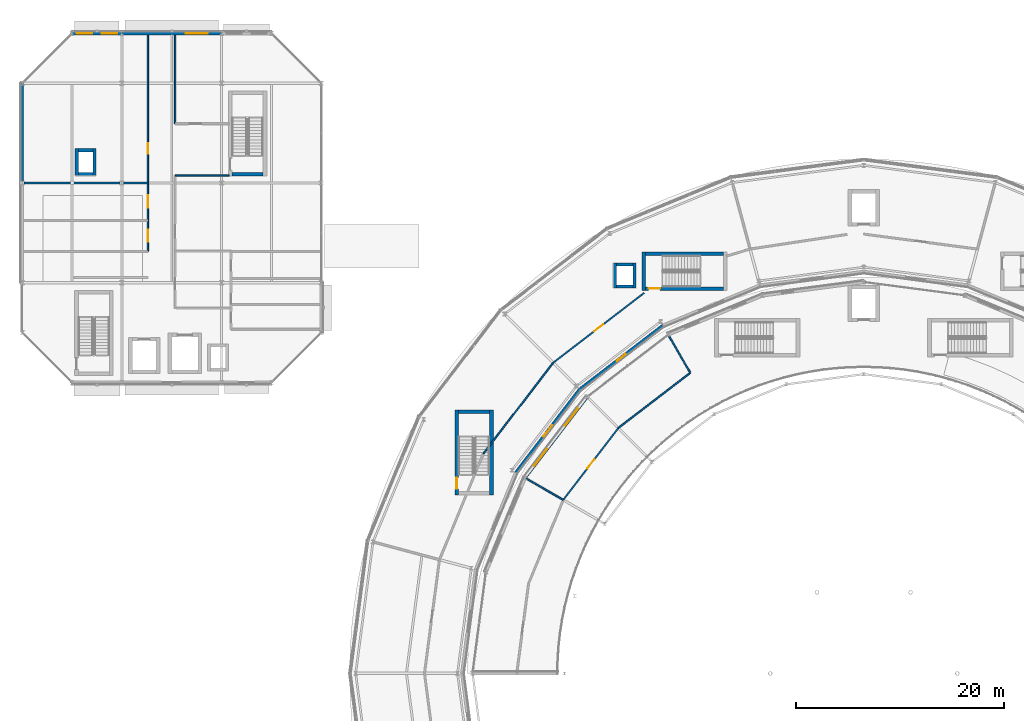
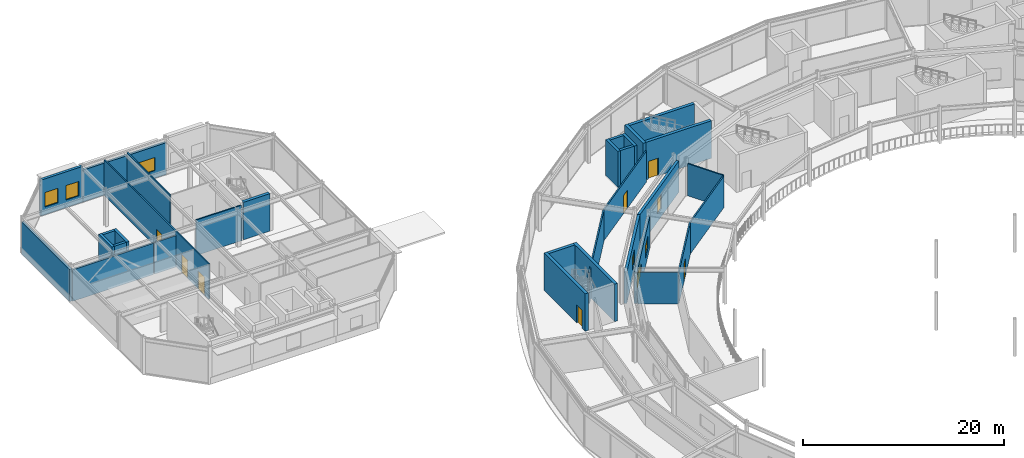
# One storey, part 104 of 133: 32 walls, 7 doors, 7 windows, 14 openings.
"""IFC4 building model written with IfcOpenShell, lengths in metres."""

from ifc_helpers import new_model, si_unit, direction, frame, frame_2d, origin, place, context, subcontext, project, spatial, rectangle, extrude, material, layer, layer_set, type_object, element, fill, save


model = new_model("IFC4")

# Units and contexts
model_context = context("Model", 3, precision=1e-05, world=origin(), true_north=direction((0.0, 1.0)))
body_context = subcontext(model_context, "Body", "Model", "MODEL_VIEW")
ifc_project = project(units=[si_unit("LENGTHUNIT", "METRE"), si_unit("AREAUNIT", "SQUARE_METRE"), si_unit("VOLUMEUNIT", "CUBIC_METRE"), si_unit("PLANEANGLEUNIT", "RADIAN"), si_unit("MASSUNIT", "GRAM", prefix="KILO")], contexts=[model_context])

# Site, building, storey
site_placement = place(None, origin())
site = spatial("IfcSite", under=ifc_project, at=site_placement, CompositionType="ELEMENT")
building_placement = place(site_placement, origin())
building = spatial("IfcBuilding", under=site, at=building_placement, Name="Almandine Court Research Institute", CompositionType="ELEMENT")
storey_placement = place(building_placement, frame((0.0, 0.0, 9.800048828125)))
storey = spatial("IfcBuildingStorey", under=building, at=storey_placement, Name="L02", CompositionType="ELEMENT", Elevation=9.800048828125)

# Wall
ifc_material_1 = material(Name="Insulated Ochre Terracotta Rainscreen Wall", Category="masonry")
ifc_layer_1 = layer(ifc_material_1, 0.2900390625)
ifc_layer_set_1 = layer_set([ifc_layer_1], Name="Insulated Ochre Terracotta Rainscreen Wall")
wall_type_1 = type_object("IfcWallType", Name="Wall-EXT-TERR-290", PredefinedType="SOLIDWALL", material=ifc_layer_set_1)
wall_1_placement = place(storey_placement, frame((6.0, 103.2041015625, 0.0), z_axis=(0.0, 0.0, 1.0), x_axis=(0.0, 1.0, 0.0)))
element("IfcWall", 1, at=wall_1_placement, inside=storey, type_object=wall_type_1, Name="L02 Cleanroom West Wall 3", PredefinedType="SOLIDWALL", context=body_context, shape_type="SweptSolid", body=[
    extrude(rectangle(XDim=9.591796875, YDim=0.2900390625, at=frame_2d((4.7958984375, 0.0))), origin(), (0.0, 0.0, 1.0), 3.884033203125),
])

# Wall, openings, windows
wall_2_placement = place(storey_placement, frame((10.803955078125, 117.60009765625, 0.0), z_axis=(0.0, 0.0, 1.0), x_axis=(1.0, 0.0, 0.0)))
wall_2 = element("IfcWall", 2, at=wall_2_placement, inside=storey, type_object=wall_type_1, Name="L02 Cleanroom North Wall 1", PredefinedType="SOLIDWALL", context=body_context, shape_type="SweptSolid", body=[
    extrude(rectangle(XDim=4.7919921875, YDim=0.2900390625, at=frame_2d((2.39599609375, 0.0))), origin(), (0.0, 0.0, 1.0), 4.369873046875),
])
opening_1_placement = place(wall_2_placement, frame((0.452880859375, 0.0, 0.949951171875)))
opening_1 = element("IfcOpeningElement", 3, at=opening_1_placement, cuts=wall_2, Name="Opening WN-26", PredefinedType="OPENING", context=body_context, shape_type="SweptSolid", body=[
    extrude(rectangle(XDim=1.489990234375, YDim=1.75, at=frame_2d((0.7451171875, 0.875))), frame((0.0, 0.155029296875, 0.0), z_axis=(0.0, -1.0, 0.0), x_axis=(1.0, 0.0, 0.0)), (0.0, 0.0, 1.0), 0.31005859375),
])
opening_2_placement = place(wall_2_placement, frame((2.84912109375, 0.0, 0.949951171875)))
opening_2 = element("IfcOpeningElement", 4, at=opening_2_placement, cuts=wall_2, Name="Opening WN-26", PredefinedType="OPENING", context=body_context, shape_type="SweptSolid", body=[
    extrude(rectangle(XDim=1.489990234375, YDim=1.75, at=frame_2d((0.7451171875, 0.875))), frame((0.0, 0.155029296875, 0.0), z_axis=(0.0, -1.0, 0.0), x_axis=(1.0, 0.0, 0.0)), (0.0, 0.0, 1.0), 0.31005859375),
])
ifc_material_2 = material(Name="Thermally Broken Low-E Double-Glazed Window", Category="glass")
window_type_1 = type_object("IfcWindowType", Name="Win-WN-26-1490x1750", PartitioningType="SINGLE_PANEL", PredefinedType="WINDOW", material=ifc_material_2)
window_1_placement = place(opening_1_placement, origin())
window_1 = element("IfcWindow", 5, at=window_1_placement, inside=storey, type_object=window_type_1, Name="L02 Modular Recessed Low-E Window 40", OverallHeight=1.75, OverallWidth=1.489990234375, PartitioningType="SINGLE_PANEL", PredefinedType="WINDOW", context=body_context, shape_type="SweptSolid", body=[
    extrude(rectangle(XDim=1.489990234375, YDim=1.75, at=frame_2d((0.7451171875, 0.875))), frame((0.0, 0.030029296875, 0.0), z_axis=(0.0, -1.0, 0.0), x_axis=(1.0, 0.0, 0.0)), (0.0, 0.0, 1.0), 0.06005859375),
])
fill(opening_1, window_1)
window_2_placement = place(opening_2_placement, origin())
window_2 = element("IfcWindow", 6, at=window_2_placement, inside=storey, type_object=window_type_1, Name="L02 Modular Recessed Low-E Window 41", OverallHeight=1.75, OverallWidth=1.489990234375, PartitioningType="SINGLE_PANEL", PredefinedType="WINDOW", context=body_context, shape_type="SweptSolid", body=[
    extrude(rectangle(XDim=1.489990234375, YDim=1.75, at=frame_2d((0.7451171875, 0.875))), frame((0.0, 0.030029296875, 0.0), z_axis=(0.0, -1.0, 0.0), x_axis=(1.0, 0.0, 0.0)), (0.0, 0.0, 1.0), 0.06005859375),
])
fill(opening_2, window_2)

# Wall, opening, window
wall_3_placement = place(storey_placement, frame((15.60400390625, 117.60009765625, 0.0), z_axis=(0.0, 0.0, 1.0), x_axis=(1.0, 0.0, 0.0)))
wall_3 = element("IfcWall", 7, at=wall_3_placement, inside=storey, type_object=wall_type_1, Name="L02 Cleanroom North Wall 2", PredefinedType="SOLIDWALL", context=body_context, shape_type="SweptSolid", body=[
    extrude(rectangle(XDim=9.592041015625, YDim=0.2900390625, at=frame_2d((4.7958984375, 0.0))), origin(), (0.0, 0.0, 1.0), 3.884033203125),
])
opening_3_placement = place(wall_3_placement, frame((6.118896484375, 0.0, 0.949951171875)))
opening_3 = element("IfcOpeningElement", 8, at=opening_3_placement, cuts=wall_3, Name="Opening WN-27", PredefinedType="OPENING", context=body_context, shape_type="SweptSolid", body=[
    extrude(rectangle(XDim=2.14990234375, YDim=1.590087890625, at=frame_2d((1.074951171875, 0.794921875))), frame((0.0, 0.155029296875, 0.0), z_axis=(0.0, -1.0, 0.0), x_axis=(1.0, 0.0, 0.0)), (0.0, 0.0, 1.0), 0.31005859375),
])
window_type_2 = type_object("IfcWindowType", Name="Win-WN-27-2150x1590", PartitioningType="SINGLE_PANEL", PredefinedType="WINDOW", material=ifc_material_2)
window_3_placement = place(opening_3_placement, origin())
window_3 = element("IfcWindow", 9, at=window_3_placement, inside=storey, type_object=window_type_2, Name="L02 Modular Recessed Low-E Window 42", OverallHeight=1.590087890625, OverallWidth=2.14990234375, PartitioningType="SINGLE_PANEL", PredefinedType="WINDOW", context=body_context, shape_type="SweptSolid", body=[
    extrude(rectangle(XDim=2.14990234375, YDim=1.590087890625, at=frame_2d((1.074951171875, 0.794921875))), frame((0.0, 0.030029296875, 0.0), z_axis=(0.0, -1.0, 0.0), x_axis=(1.0, 0.0, 0.0)), (0.0, 0.0, 1.0), 0.06005859375),
])
fill(opening_3, window_3)

wall_4_placement = place(storey_placement, frame((67.6650390625, 89.47705078125, 0.0), z_axis=(0.0, 0.0, 1.0), x_axis=(-0.793371621275, -0.608737604027, 0.0)))
wall_4 = element("IfcWall", 10, at=wall_4_placement, inside=storey, type_object=wall_type_1, Name="L02 Drum Inner Gallery Wall 08", PredefinedType="SOLIDWALL", context=body_context, shape_type="SweptSolid", body=[
    extrude(rectangle(XDim=10.079833984375, YDim=0.2900390625, at=frame_2d((5.0400390625, 0.0))), origin(), (0.0, 0.0, 1.0), 3.81396484375),
])
opening_4_placement = place(wall_4_placement, frame((4.514892578125, 0.0, 0.949951171875)))
opening_4 = element("IfcOpeningElement", 11, at=opening_4_placement, cuts=wall_4, Name="Opening WN-121", PredefinedType="OPENING", context=body_context, shape_type="SweptSolid", body=[
    extrude(rectangle(XDim=1.050048828125, YDim=1.75, at=frame_2d((0.52490234375, 0.875))), frame((0.0, 0.155029296875, 0.0), z_axis=(0.0, -1.0, 0.0), x_axis=(1.0, 0.0, 0.0)), (0.0, 0.0, 1.0), 0.31005859375),
])
window_type_3 = type_object("IfcWindowType", Name="Win-WN-121-1050x1750", PartitioningType="SINGLE_PANEL", PredefinedType="WINDOW", material=ifc_material_2)
window_4_placement = place(opening_4_placement, origin())
window_4 = element("IfcWindow", 12, at=window_4_placement, inside=storey, type_object=window_type_3, Name="L02 Modular Recessed Low-E Window 268", OverallHeight=1.75, OverallWidth=1.050048828125, PartitioningType="SINGLE_PANEL", PredefinedType="WINDOW", context=body_context, shape_type="SweptSolid", body=[
    extrude(rectangle(XDim=1.050048828125, YDim=1.75, at=frame_2d((0.52490234375, 0.875))), frame((0.0, 0.030029296875, 0.0), z_axis=(0.0, -1.0, 0.0), x_axis=(1.0, 0.0, 0.0)), (0.0, 0.0, 1.0), 0.06005859375),
])
fill(opening_4, window_4)

wall_5_placement = place(storey_placement, frame((59.658935546875, 83.33203125, 0.0), z_axis=(0.0, 0.0, 1.0), x_axis=(-0.608737604027, -0.793371621275, 0.0)))
wall_5 = element("IfcWall", 13, at=wall_5_placement, inside=storey, type_object=wall_type_1, Name="L02 Drum Inner Gallery Wall 09", PredefinedType="SOLIDWALL", context=body_context, shape_type="SweptSolid", body=[
    extrude(rectangle(XDim=10.079833984375, YDim=0.2900390625, at=frame_2d((5.0400390625, 0.0))), origin(), (0.0, 0.0, 1.0), 3.81396484375),
])
opening_5_placement = place(wall_5_placement, frame((4.35009765625, 0.0, 0.949951171875)))
opening_5 = element("IfcOpeningElement", 14, at=opening_5_placement, cuts=wall_5, Name="Opening WN-122", PredefinedType="OPENING", context=body_context, shape_type="SweptSolid", body=[
    extrude(rectangle(XDim=1.3798828125, YDim=1.669921875, at=frame_2d((0.68994140625, 0.8349609375))), frame((0.0, 0.155029296875, 0.0), z_axis=(0.0, -1.0, 0.0), x_axis=(1.0, 0.0, 0.0)), (0.0, 0.0, 1.0), 0.31005859375),
])
window_type_4 = type_object("IfcWindowType", Name="Win-WN-122-1380x1670", PartitioningType="SINGLE_PANEL", PredefinedType="WINDOW", material=ifc_material_2)
window_5_placement = place(opening_5_placement, origin())
window_5 = element("IfcWindow", 15, at=window_5_placement, inside=storey, type_object=window_type_4, Name="L02 Modular Recessed Low-E Window 269", OverallHeight=1.669921875, OverallWidth=1.3798828125, PartitioningType="SINGLE_PANEL", PredefinedType="WINDOW", context=body_context, shape_type="SweptSolid", body=[
    extrude(rectangle(XDim=1.3798828125, YDim=1.669921875, at=frame_2d((0.68994140625, 0.8349609375))), frame((0.0, 0.030029296875, 0.0), z_axis=(0.0, -1.0, 0.0), x_axis=(1.0, 0.0, 0.0)), (0.0, 0.0, 1.0), 0.06005859375),
])
fill(opening_5, window_5)

# Wall, openings, windows
wall_6_placement = place(storey_placement, frame((54.39697265625, 74.827880859375, 0.0), z_axis=(0.0, 0.0, 1.0), x_axis=(0.608746738158, 0.793364612762, 0.0)))
wall_6 = element("IfcWall", 16, at=wall_6_placement, inside=storey, type_object=wall_type_1, Name="L02 Interaction Atrium Perimeter Wall 09", PredefinedType="SOLIDWALL", context=body_context, shape_type="SweptSolid", body=[
    extrude(rectangle(XDim=9.8203125, YDim=0.2900390625, at=frame_2d((4.91015625, 0.0))), origin(), (0.0, 0.0, 1.0), 3.81103515625),
])
opening_6_placement = place(wall_6_placement, frame((1.43505859375, 0.0, 0.949951171875)))
opening_6 = element("IfcOpeningElement", 17, at=opening_6_placement, cuts=wall_6, Name="Opening WN-18", PredefinedType="OPENING", context=body_context, shape_type="SweptSolid", body=[
    extrude(rectangle(XDim=2.0400390625, YDim=1.56005859375, at=frame_2d((1.02001953125, 0.780029296875))), frame((0.0, 0.155029296875, 0.0), z_axis=(0.0, -1.0, 0.0), x_axis=(1.0, 0.0, 0.0)), (0.0, 0.0, 1.0), 0.31005859375),
])
opening_7_placement = place(wall_6_placement, frame((6.344970703125, 0.0, 0.949951171875)))
opening_7 = element("IfcOpeningElement", 18, at=opening_7_placement, cuts=wall_6, Name="Opening WN-18", PredefinedType="OPENING", context=body_context, shape_type="SweptSolid", body=[
    extrude(rectangle(XDim=2.0400390625, YDim=1.56005859375, at=frame_2d((1.02001953125, 0.780029296875))), frame((0.0, 0.155029296875, 0.0), z_axis=(0.0, -1.0, 0.0), x_axis=(1.0, 0.0, 0.0)), (0.0, 0.0, 1.0), 0.31005859375),
])
window_type_5 = type_object("IfcWindowType", Name="Win-WN-18-2040x1560", PartitioningType="SINGLE_PANEL", PredefinedType="WINDOW", material=ifc_material_2)
window_6_placement = place(opening_6_placement, origin())
window_6 = element("IfcWindow", 19, at=window_6_placement, inside=storey, type_object=window_type_5, Name="L02 Modular Recessed Low-E Window 367", OverallHeight=1.56005859375, OverallWidth=2.0400390625, PartitioningType="SINGLE_PANEL", PredefinedType="WINDOW", context=body_context, shape_type="SweptSolid", body=[
    extrude(rectangle(XDim=2.0400390625, YDim=1.56005859375, at=frame_2d((1.02001953125, 0.780029296875))), frame((0.0, 0.030029296875, 0.0), z_axis=(0.0, -1.0, 0.0), x_axis=(1.0, 0.0, 0.0)), (0.0, 0.0, 1.0), 0.06005859375),
])
fill(opening_6, window_6)
window_7_placement = place(opening_7_placement, origin())
window_7 = element("IfcWindow", 20, at=window_7_placement, inside=storey, type_object=window_type_5, Name="L02 Modular Recessed Low-E Window 368", OverallHeight=1.56005859375, OverallWidth=2.0400390625, PartitioningType="SINGLE_PANEL", PredefinedType="WINDOW", context=body_context, shape_type="SweptSolid", body=[
    extrude(rectangle(XDim=2.0400390625, YDim=1.56005859375, at=frame_2d((1.02001953125, 0.780029296875))), frame((0.0, 0.030029296875, 0.0), z_axis=(0.0, -1.0, 0.0), x_axis=(1.0, 0.0, 0.0)), (0.0, 0.0, 1.0), 0.06005859375),
])
fill(opening_7, window_7)

# Walls
ifc_material_3 = material(Name="Two-Hour Fire-Barrier Enclosure Wall")
ifc_layer_2 = layer(ifc_material_3, 0.199951171875)
ifc_layer_set_2 = layer_set([ifc_layer_2], Name="Two-Hour Fire-Barrier Enclosure Wall")
wall_type_2 = type_object("IfcWallType", Name="Wall-FIRE-200", PredefinedType="SOLIDWALL", material=ifc_layer_set_2)
wall_7_placement = place(storey_placement, frame((6.159912109375, 103.199951171875, 0.0), z_axis=(0.0, 0.0, 1.0), x_axis=(1.0, 0.0, 0.0)))
element("IfcWall", 21, at=wall_7_placement, inside=storey, type_object=wall_type_2, Name="L02 Interior Partition W-BF-V3-BF1-L02", PredefinedType="SOLIDWALL", context=body_context, shape_type="SweptSolid", body=[
    extrude(rectangle(XDim=9.280029296875, YDim=0.199951171875, at=frame_2d((4.64013671875, 0.0))), origin(), (0.0, 0.0, 1.0), 3.81494140625),
])
ifc_material_4 = material(Name="Acoustic Steel-Stud Gypsum Partition Wall", Category="steel")
ifc_layer_3 = layer(ifc_material_4, 0.14990234375)
ifc_layer_set_3 = layer_set([ifc_layer_3], Name="Acoustic Steel-Stud Gypsum Partition Wall")
wall_type_3 = type_object("IfcWallType", Name="Wall-PART-150", PredefinedType="PARTITIONING", material=ifc_layer_set_3)
wall_8_placement = place(storey_placement, frame((20.719970703125, 108.89990234375, 0.0), z_axis=(0.0, 0.0, 1.0), x_axis=(0.0, 1.0, 0.0)))
element("IfcWall", 22, at=wall_8_placement, inside=storey, type_object=wall_type_3, Name="L02 Interior Partition W-V3-L02-CALW", PredefinedType="PARTITIONING", context=body_context, shape_type="SweptSolid", body=[
    extrude(rectangle(XDim=8.5400390625, YDim=0.14990234375, at=frame_2d((4.27001953125, 0.0))), origin(), (0.0, 0.0, 1.0), 4.300048828125),
])

# Wall, openings, doors
wall_9_placement = place(storey_placement, frame((18.10009765625, 96.6201171875, 0.0), z_axis=(0.0, 0.0, 1.0), x_axis=(0.0, 1.0, 0.0)))
wall_9 = element("IfcWall", 23, at=wall_9_placement, inside=storey, type_object=wall_type_3, Name="L02 Interior Partition W-V3-L02-CW", PredefinedType="PARTITIONING", context=body_context, shape_type="SweptSolid", body=[
    extrude(rectangle(XDim=20.81982421875, YDim=0.14990234375, at=frame_2d((10.409912109375, 0.0))), origin(), (0.0, 0.0, 1.0), 4.300048828125),
])
opening_8_placement = place(wall_9_placement, frame((0.89990234375, 0.0, 0.0)))
opening_8 = element("IfcOpeningElement", 24, at=opening_8_placement, cuts=wall_9, Name="Opening D-04", PredefinedType="OPENING", context=body_context, shape_type="SweptSolid", body=[
    extrude(rectangle(XDim=1.199951171875, YDim=2.199951171875, at=frame_2d((0.60009765625, 1.10009765625))), frame((0.0, 0.0849609375, 0.0), z_axis=(0.0, -1.0, 0.0), x_axis=(1.0, 0.0, 0.0)), (0.0, 0.0, 1.0), 0.169921875),
])
opening_9_placement = place(wall_9_placement, frame((4.199951171875, 0.0, 0.0)))
opening_9 = element("IfcOpeningElement", 25, at=opening_9_placement, cuts=wall_9, Name="Opening D-04", PredefinedType="OPENING", context=body_context, shape_type="SweptSolid", body=[
    extrude(rectangle(XDim=1.199951171875, YDim=2.199951171875, at=frame_2d((0.60009765625, 1.10009765625))), frame((0.0, 0.0849609375, 0.0), z_axis=(0.0, -1.0, 0.0), x_axis=(1.0, 0.0, 0.0)), (0.0, 0.0, 1.0), 0.169921875),
])
opening_10_placement = place(wall_9_placement, frame((9.39990234375, 0.0, 0.0)))
opening_10 = element("IfcOpeningElement", 26, at=opening_10_placement, cuts=wall_9, Name="Opening D-02", PredefinedType="OPENING", context=body_context, shape_type="SweptSolid", body=[
    extrude(rectangle(XDim=1.0, YDim=2.199951171875, at=frame_2d((0.5, 1.10009765625))), frame((0.0, 0.0849609375, 0.0), z_axis=(0.0, -1.0, 0.0), x_axis=(1.0, 0.0, 0.0)), (0.0, 0.0, 1.0), 0.169921875),
])
ifc_material_5 = material(Name="Solid-Core Timber Researcher Office Door", Category="wood")
door_type_1 = type_object("IfcDoorType", Name="Door-INT-1000", OperationType="NOTDEFINED", PredefinedType="DOOR", material=ifc_material_5)
door_1_placement = place(opening_10_placement, origin())
door_1 = element("IfcDoor", 27, at=door_1_placement, inside=storey, type_object=door_type_1, Name="L02 V3 Write-up Door", OperationType="SINGLE_SWING_RIGHT", OverallHeight=2.199951171875, OverallWidth=1.0, PredefinedType="DOOR", context=body_context, shape_type="SweptSolid", body=[
    extrude(rectangle(XDim=1.0, YDim=2.199951171875, at=frame_2d((0.5, 1.10009765625))), frame((0.0, 0.02490234375, 0.0), z_axis=(0.0, -1.0, 0.0), x_axis=(1.0, 0.0, 0.0)), (0.0, 0.0, 1.0), 0.050048828125),
])
fill(opening_10, door_1)
ifc_material_6 = material(Name="Wide Acoustic Laboratory Suite Door")
door_type_2 = type_object("IfcDoorType", Name="Door-INT-1200", OperationType="NOTDEFINED", PredefinedType="DOOR", material=ifc_material_6)
door_2_placement = place(opening_8_placement, origin())
door_2 = element("IfcDoor", 28, at=door_2_placement, inside=storey, type_object=door_type_2, Name="L02 Photonics Lab Door", OperationType="SINGLE_SWING_RIGHT", OverallHeight=2.199951171875, OverallWidth=1.199951171875, PredefinedType="DOOR", context=body_context, shape_type="SweptSolid", body=[
    extrude(rectangle(XDim=1.199951171875, YDim=2.199951171875, at=frame_2d((0.60009765625, 1.10009765625))), frame((0.0, 0.02490234375, 0.0), z_axis=(0.0, -1.0, 0.0), x_axis=(1.0, 0.0, 0.0)), (0.0, 0.0, 1.0), 0.050048828125),
])
fill(opening_8, door_2)
door_3_placement = place(opening_9_placement, origin())
door_3 = element("IfcDoor", 29, at=door_3_placement, inside=storey, type_object=door_type_2, Name="L02 Metrology Lab Door", OperationType="SINGLE_SWING_LEFT", OverallHeight=2.199951171875, OverallWidth=1.199951171875, PredefinedType="DOOR", context=body_context, shape_type="SweptSolid", body=[
    extrude(rectangle(XDim=1.199951171875, YDim=2.199951171875, at=frame_2d((0.60009765625, 1.10009765625))), frame((0.0, 0.02490234375, 0.0), z_axis=(0.0, -1.0, 0.0), x_axis=(1.0, 0.0, 0.0)), (0.0, 0.0, 1.0), 0.050048828125),
])
fill(opening_9, door_3)

# Walls
wall_10_placement = place(storey_placement, frame((20.719970703125, 103.89990234375, 0.0), z_axis=(0.0, 0.0, 1.0), x_axis=(1.0, 0.0, 0.0)))
element("IfcWall", 30, at=wall_10_placement, inside=storey, type_object=wall_type_3, Name="L02 Interior Partition W-V3-L02-CEN", PredefinedType="PARTITIONING", context=body_context, shape_type="SweptSolid", body=[
    extrude(rectangle(XDim=5.199951171875, YDim=0.14990234375, at=frame_2d((2.60009765625, 0.0))), origin(), (0.0, 0.0, 1.0), 4.300048828125),
])
wall_11_placement = place(storey_placement, frame((15.550048828125, 103.199951171875, 0.0), z_axis=(0.0, 0.0, 1.0), x_axis=(1.0, 0.0, 0.0)))
element("IfcWall", 31, at=wall_11_placement, inside=storey, type_object=wall_type_3, Name="L02 Interior Partition W-V3-L02-SB", PredefinedType="PARTITIONING", context=body_context, shape_type="SweptSolid", body=[
    extrude(rectangle(XDim=2.550048828125, YDim=0.14990234375, at=frame_2d((1.27490234375, 0.0))), origin(), (0.0, 0.0, 1.0), 3.81494140625),
])

# Wall, opening, door
wall_12_placement = place(storey_placement, frame((65.860107421875, 92.615966796875, 0.0), z_axis=(0.0, 0.0, 1.0), x_axis=(-0.793301872689, -0.608828497024, 0.0)))
wall_12 = element("IfcWall", 32, at=wall_12_placement, inside=storey, type_object=wall_type_3, Name="L02 Interior Partition W-V5-L02-CHD-08", PredefinedType="PARTITIONING", context=body_context, shape_type="SweptSolid", body=[
    extrude(rectangle(XDim=11.03759765625, YDim=0.14990234375, at=frame_2d((5.518798828125, 0.0))), origin(), (0.0, 0.0, 1.0), 3.737060546875),
])
opening_11_placement = place(wall_12_placement, frame((4.949951171875, 0.0, 0.0)))
opening_11 = element("IfcOpeningElement", 33, at=opening_11_placement, cuts=wall_12, Name="Opening D-03", PredefinedType="OPENING", context=body_context, shape_type="SweptSolid", body=[
    extrude(rectangle(XDim=1.10009765625, YDim=2.199951171875, at=frame_2d((0.550048828125, 1.10009765625))), frame((0.0, 0.0849609375, 0.0), z_axis=(0.0, -1.0, 0.0), x_axis=(1.0, 0.0, 0.0)), (0.0, 0.0, 1.0), 0.169921875),
])
ifc_material_7 = material(Name="Acoustic Vision-Panel Seminar Door")
door_type_3 = type_object("IfcDoorType", Name="Door-INT-1100", OperationType="NOTDEFINED", PredefinedType="DOOR", material=ifc_material_7)
door_4_placement = place(opening_11_placement, origin())
door_4 = element("IfcDoor", 34, at=door_4_placement, inside=storey, type_object=door_type_3, Name="L02 Drum Computational Research Laboratory Door", OperationType="SINGLE_SWING_RIGHT", OverallHeight=2.199951171875, OverallWidth=1.10009765625, PredefinedType="DOOR", context=body_context, shape_type="SweptSolid", body=[
    extrude(rectangle(XDim=1.10009765625, YDim=2.199951171875, at=frame_2d((0.550048828125, 1.10009765625))), frame((0.0, 0.02490234375, 0.0), z_axis=(0.0, -1.0, 0.0), x_axis=(1.0, 0.0, 0.0)), (0.0, 0.0, 1.0), 0.050048828125),
])
fill(opening_11, door_4)

# Walls
wall_13_placement = place(storey_placement, frame((57.10400390625, 85.89599609375, 0.0), z_axis=(0.0, 0.0, 1.0), x_axis=(-0.608828497024, -0.793301872689, 0.0)))
element("IfcWall", 35, at=wall_13_placement, inside=storey, type_object=wall_type_3, Name="L02 Interior Partition W-V5-L02-CHD-09", PredefinedType="PARTITIONING", context=body_context, shape_type="SweptSolid", body=[
    extrude(rectangle(XDim=11.03759765625, YDim=0.14990234375, at=frame_2d((5.518798828125, 0.0))), origin(), (0.0, 0.0, 1.0), 3.737060546875),
])
wall_14_placement = place(storey_placement, frame((70.300048828125, 84.925048828125, 0.0), z_axis=(0.0, 0.0, 1.0), x_axis=(-0.793325051384, -0.608798294056, 0.0)))
element("IfcWall", 36, at=wall_14_placement, inside=storey, type_object=wall_type_3, Name="L02 Interior Partition W-V2-L02-CHD-08", PredefinedType="PARTITIONING", context=body_context, shape_type="SweptSolid", body=[
    extrude(rectangle(XDim=8.718994140625, YDim=0.14990234375, at=frame_2d((4.359375, 0.0))), origin(), (0.0, 0.0, 1.0), 3.81494140625),
])

# Wall, opening, door
wall_15_placement = place(storey_placement, frame((63.383056640625, 79.616943359375, 0.0), z_axis=(0.0, 0.0, 1.0), x_axis=(-0.608798294056, -0.793325051384, 0.0)))
wall_15 = element("IfcWall", 37, at=wall_15_placement, inside=storey, type_object=wall_type_3, Name="L02 Interior Partition W-V2-L02-CHD-09", PredefinedType="PARTITIONING", context=body_context, shape_type="SweptSolid", body=[
    extrude(rectangle(XDim=8.718994140625, YDim=0.14990234375, at=frame_2d((4.359375, 0.0))), origin(), (0.0, 0.0, 1.0), 3.81494140625),
])
opening_12_placement = place(wall_15_placement, frame((3.81005859375, 0.0, 0.0)))
opening_12 = element("IfcOpeningElement", 38, at=opening_12_placement, cuts=wall_15, Name="Opening D-03", PredefinedType="OPENING", context=body_context, shape_type="SweptSolid", body=[
    extrude(rectangle(XDim=1.10009765625, YDim=2.199951171875, at=frame_2d((0.550048828125, 1.10009765625))), frame((0.0, 0.0849609375, 0.0), z_axis=(0.0, -1.0, 0.0), x_axis=(1.0, 0.0, 0.0)), (0.0, 0.0, 1.0), 0.169921875),
])
door_5_placement = place(opening_12_placement, origin())
door_5 = element("IfcDoor", 39, at=door_5_placement, inside=storey, type_object=door_type_3, Name="L02 Atrium Academic Lounge Door", OperationType="SINGLE_SWING_RIGHT", OverallHeight=2.199951171875, OverallWidth=1.10009765625, PredefinedType="DOOR", context=body_context, shape_type="SweptSolid", body=[
    extrude(rectangle(XDim=1.10009765625, YDim=2.199951171875, at=frame_2d((0.550048828125, 1.10009765625))), frame((0.0, 0.02490234375, 0.0), z_axis=(0.0, -1.0, 0.0), x_axis=(1.0, 0.0, 0.0)), (0.0, 0.0, 1.0), 0.050048828125),
])
fill(opening_12, door_5)

# Walls
wall_16_placement = place(storey_placement, frame((70.300048828125, 84.925048828125, 0.0), z_axis=(0.0, 0.0, 1.0), x_axis=(-0.499948612594, 0.866055070284, 0.0)))
element("IfcWall", 40, at=wall_16_placement, inside=storey, type_object=wall_type_3, Name="L02 Interior Partition W-V2-L02-RAD-08", PredefinedType="PARTITIONING", context=body_context, shape_type="SweptSolid", body=[
    extrude(rectangle(XDim=4.08056640625, YDim=0.14990234375, at=frame_2d((2.040283203125, 0.0))), origin(), (0.0, 0.0, 1.0), 3.89697265625),
])
wall_17_placement = place(storey_placement, frame((58.074951171875, 72.699951171875, 0.0), z_axis=(0.0, 0.0, 1.0), x_axis=(-0.866055070284, 0.499948612594, 0.0)))
element("IfcWall", 41, at=wall_17_placement, inside=storey, type_object=wall_type_3, Name="L02 Interior Partition W-V2-L02-RAD-10", PredefinedType="PARTITIONING", context=body_context, shape_type="SweptSolid", body=[
    extrude(rectangle(XDim=4.08056640625, YDim=0.14990234375, at=frame_2d((2.040283203125, 0.0))), origin(), (0.0, 0.0, 1.0), 3.81494140625),
])
ifc_material_8 = material(Name="Concrete C40/50", Category="concrete")
ifc_layer_4 = layer(ifc_material_8, 0.300048828125)
ifc_layer_set_4 = layer_set([ifc_layer_4], Name="Concrete C40/50")
wall_type_4 = type_object("IfcWallType", Name="Wall-SW-CORE-300", PredefinedType="SHEAR", material=ifc_layer_set_4)
wall_18_placement = place(storey_placement, frame((11.25, 103.89990234375, 0.0), z_axis=(0.0, 0.0, 1.0), x_axis=(0.0, 1.0, 0.0)))
element("IfcWall", 42, at=wall_18_placement, inside=storey, type_object=wall_type_4, Name="L02 MEP Riser RS-V3B W Shear Wall", PredefinedType="SHEAR", context=body_context, shape_type="SweptSolid", body=[
    extrude(rectangle(XDim=2.60009765625, YDim=0.300048828125, at=frame_2d((1.300048828125, 0.0))), origin(), (0.0, 0.0, 1.0), 4.369873046875),
])
wall_19_placement = place(storey_placement, frame((11.39990234375, 106.35009765625, 0.0), z_axis=(0.0, 0.0, 1.0), x_axis=(1.0, 0.0, 0.0)))
element("IfcWall", 43, at=wall_19_placement, inside=storey, type_object=wall_type_4, Name="L02 MEP Riser RS-V3B N Shear Wall", PredefinedType="SHEAR", context=body_context, shape_type="SweptSolid", body=[
    extrude(rectangle(XDim=1.400146484375, YDim=0.300048828125, at=frame_2d((0.7001953125, 0.0))), origin(), (0.0, 0.0, 1.0), 4.369873046875),
])
wall_20_placement = place(storey_placement, frame((12.949951171875, 106.5, 0.0), z_axis=(0.0, 0.0, 1.0), x_axis=(0.0, -1.0, 0.0)))
element("IfcWall", 44, at=wall_20_placement, inside=storey, type_object=wall_type_4, Name="L02 MEP Riser RS-V3B E Shear Wall", PredefinedType="SHEAR", context=body_context, shape_type="SweptSolid", body=[
    extrude(rectangle(XDim=2.60009765625, YDim=0.300048828125, at=frame_2d((1.300048828125, 0.0))), origin(), (0.0, 0.0, 1.0), 4.369873046875),
])
wall_21_placement = place(storey_placement, frame((12.800048828125, 104.050048828125, 0.0), z_axis=(0.0, 0.0, 1.0), x_axis=(-1.0, 0.0, 0.0)))
element("IfcWall", 45, at=wall_21_placement, inside=storey, type_object=wall_type_4, Name="L02 MEP Riser RS-V3B S Shear Wall", PredefinedType="SHEAR", context=body_context, shape_type="SweptSolid", body=[
    extrude(rectangle(XDim=1.400146484375, YDim=0.300048828125, at=frame_2d((0.7001953125, 0.0))), origin(), (0.0, 0.0, 1.0), 4.369873046875),
])
wall_22_placement = place(storey_placement, frame((63.050048828125, 93.10009765625, 0.0), z_axis=(0.0, 0.0, 1.0), x_axis=(0.0, 1.0, 0.0)))
element("IfcWall", 46, at=wall_22_placement, inside=storey, type_object=wall_type_4, Name="L02 MEP Riser RS-V5B W Shear Wall", PredefinedType="SHEAR", context=body_context, shape_type="SweptSolid", body=[
    extrude(rectangle(XDim=2.39990234375, YDim=0.300048828125, at=frame_2d((1.199951171875, 0.0))), origin(), (0.0, 0.0, 1.0), 4.369873046875),
])
wall_23_placement = place(storey_placement, frame((63.199951171875, 95.35009765625, 0.0), z_axis=(0.0, 0.0, 1.0), x_axis=(1.0, 0.0, 0.0)))
element("IfcWall", 47, at=wall_23_placement, inside=storey, type_object=wall_type_4, Name="L02 MEP Riser RS-V5B N Shear Wall", PredefinedType="SHEAR", context=body_context, shape_type="SweptSolid", body=[
    extrude(rectangle(XDim=1.60009765625, YDim=0.300048828125, at=frame_2d((0.800048828125, 0.0))), origin(), (0.0, 0.0, 1.0), 4.369873046875),
])
wall_24_placement = place(storey_placement, frame((64.949951171875, 95.5, 0.0), z_axis=(0.0, 0.0, 1.0), x_axis=(0.0, -1.0, 0.0)))
element("IfcWall", 48, at=wall_24_placement, inside=storey, type_object=wall_type_4, Name="L02 MEP Riser RS-V5B E Shear Wall", PredefinedType="SHEAR", context=body_context, shape_type="SweptSolid", body=[
    extrude(rectangle(XDim=2.39990234375, YDim=0.300048828125, at=frame_2d((1.199951171875, 0.0))), origin(), (0.0, 0.0, 1.0), 4.369873046875),
])
wall_25_placement = place(storey_placement, frame((64.800048828125, 93.25, 0.0), z_axis=(0.0, 0.0, 1.0), x_axis=(-1.0, 0.0, 0.0)))
element("IfcWall", 49, at=wall_25_placement, inside=storey, type_object=wall_type_4, Name="L02 MEP Riser RS-V5B S Shear Wall", PredefinedType="SHEAR", context=body_context, shape_type="SweptSolid", body=[
    extrude(rectangle(XDim=1.60009765625, YDim=0.300048828125, at=frame_2d((0.800048828125, 0.0))), origin(), (0.0, 0.0, 1.0), 4.369873046875),
])
ifc_layer_5 = layer(ifc_material_8, 0.35009765625)
ifc_layer_set_5 = layer_set([ifc_layer_5], Name="Concrete C40/50")
wall_type_5 = type_object("IfcWallType", Name="Wall-SW-CORE-350", PredefinedType="SHEAR", material=ifc_layer_set_5)
wall_26_placement = place(storey_placement, frame((29.199951171875, 104.02490234375, 0.0), z_axis=(0.0, 0.0, 1.0), x_axis=(-1.0, 0.0, 0.0)))
element("IfcWall", 50, at=wall_26_placement, inside=storey, type_object=wall_type_5, Name="L02 ST-06 S Shear Wall", PredefinedType="SHEAR", context=body_context, shape_type="SweptSolid", body=[
    extrude(rectangle(XDim=3.0, YDim=0.35009765625, at=frame_2d((1.5, 0.0))), origin(), (0.0, 0.0, 1.0), 4.550048828125),
])
wall_27_placement = place(storey_placement, frame((65.824951171875, 92.85009765625, 0.0), z_axis=(0.0, 0.0, 1.0), x_axis=(0.0, 1.0, 0.0)))
element("IfcWall", 51, at=wall_27_placement, inside=storey, type_object=wall_type_5, Name="L02 ST-10 W Shear Wall", PredefinedType="SHEAR", context=body_context, shape_type="SweptSolid", body=[
    extrude(rectangle(XDim=3.699951171875, YDim=0.35009765625, at=frame_2d((1.85009765625, 0.0))), origin(), (0.0, 0.0, 1.0), 4.550048828125),
])
wall_28_placement = place(storey_placement, frame((66.0, 96.375, 0.0), z_axis=(0.0, 0.0, 1.0), x_axis=(1.0, 0.0, 0.0)))
element("IfcWall", 52, at=wall_28_placement, inside=storey, type_object=wall_type_5, Name="L02 ST-10 N Shear Wall", PredefinedType="SHEAR", context=body_context, shape_type="SweptSolid", body=[
    extrude(rectangle(XDim=7.5, YDim=0.35009765625, at=frame_2d((3.75, 0.0))), origin(), (0.0, 0.0, 1.0), 4.550048828125),
])

# Wall, opening, door
wall_29_placement = place(storey_placement, frame((73.5, 93.02490234375, 0.0), z_axis=(0.0, 0.0, 1.0), x_axis=(-1.0, 0.0, 0.0)))
wall_29 = element("IfcWall", 53, at=wall_29_placement, inside=storey, type_object=wall_type_5, Name="L02 ST-10 S Shear Wall", PredefinedType="SHEAR", context=body_context, shape_type="SweptSolid", body=[
    extrude(rectangle(XDim=7.5, YDim=0.35009765625, at=frame_2d((3.75, 0.0))), origin(), (0.0, 0.0, 1.0), 4.550048828125),
])
opening_13_placement = place(wall_29_placement, frame((6.10009765625, 0.0, 0.0)))
opening_13 = element("IfcOpeningElement", 54, at=opening_13_placement, cuts=wall_29, Name="Opening FD-STAIR", PredefinedType="OPENING", context=body_context, shape_type="SweptSolid", body=[
    extrude(rectangle(XDim=1.10009765625, YDim=2.14990234375, at=frame_2d((0.550048828125, 1.074951171875))), frame((0.0, 0.18505859375, 0.0), z_axis=(0.0, -1.0, 0.0), x_axis=(1.0, 0.0, 0.0)), (0.0, 0.0, 1.0), 0.3701171875),
])
ifc_material_9 = material(Name="Self-Closing Steel Exit Stair Fire Door", Category="steel")
door_type_4 = type_object("IfcDoorType", Name="Door-FD-STAIR-1100", OperationType="NOTDEFINED", PredefinedType="DOOR", material=ifc_material_9)
door_6_placement = place(opening_13_placement, origin())
door_6 = element("IfcDoor", 55, at=door_6_placement, inside=storey, type_object=door_type_4, Name="L02 Exit Stair ST-10 Fire Door", OperationType="SINGLE_SWING_RIGHT", OverallHeight=2.14990234375, OverallWidth=1.10009765625, PredefinedType="DOOR", context=body_context, shape_type="SweptSolid", body=[
    extrude(rectangle(XDim=1.10009765625, YDim=2.14990234375, at=frame_2d((0.550048828125, 1.074951171875))), frame((0.0, 0.02490234375, 0.0), z_axis=(0.0, -1.0, 0.0), x_axis=(1.0, 0.0, 0.0)), (0.0, 0.0, 1.0), 0.050048828125),
])
fill(opening_13, door_6)

wall_30_placement = place(storey_placement, frame((47.824951171875, 73.14990234375, 0.0), z_axis=(0.0, 0.0, 1.0), x_axis=(0.0, 1.0, 0.0)))
wall_30 = element("IfcWall", 56, at=wall_30_placement, inside=storey, type_object=wall_type_5, Name="L02 ST-15 W Shear Wall", PredefinedType="SHEAR", context=body_context, shape_type="SweptSolid", body=[
    extrude(rectangle(XDim=8.2001953125, YDim=0.35009765625, at=frame_2d((4.10009765625, 0.0))), origin(), (0.0, 0.0, 1.0), 4.550048828125),
])
opening_14_placement = place(wall_30_placement, frame((0.60009765625, 0.0, 0.0)))
opening_14 = element("IfcOpeningElement", 57, at=opening_14_placement, cuts=wall_30, Name="Opening FD-STAIR", PredefinedType="OPENING", context=body_context, shape_type="SweptSolid", body=[
    extrude(rectangle(XDim=1.10009765625, YDim=2.14990234375, at=frame_2d((0.550048828125, 1.074951171875))), frame((0.0, 0.18505859375, 0.0), z_axis=(0.0, -1.0, 0.0), x_axis=(1.0, 0.0, 0.0)), (0.0, 0.0, 1.0), 0.3701171875),
])
door_7_placement = place(opening_14_placement, origin())
door_7 = element("IfcDoor", 58, at=door_7_placement, inside=storey, type_object=door_type_4, Name="L02 Exit Stair ST-15 Fire Door", OperationType="SINGLE_SWING_RIGHT", OverallHeight=2.14990234375, OverallWidth=1.10009765625, PredefinedType="DOOR", context=body_context, shape_type="SweptSolid", body=[
    extrude(rectangle(XDim=1.10009765625, YDim=2.14990234375, at=frame_2d((0.550048828125, 1.074951171875))), frame((0.0, 0.02490234375, 0.0), z_axis=(0.0, -1.0, 0.0), x_axis=(1.0, 0.0, 0.0)), (0.0, 0.0, 1.0), 0.050048828125),
])
fill(opening_14, door_7)

# Walls
wall_31_placement = place(storey_placement, frame((48.0, 81.175048828125, 0.0), z_axis=(0.0, 0.0, 1.0), x_axis=(1.0, 0.0, 0.0)))
element("IfcWall", 59, at=wall_31_placement, inside=storey, type_object=wall_type_5, Name="L02 ST-15 N Shear Wall", PredefinedType="SHEAR", context=body_context, shape_type="SweptSolid", body=[
    extrude(rectangle(XDim=3.0, YDim=0.35009765625, at=frame_2d((1.5, 0.0))), origin(), (0.0, 0.0, 1.0), 4.550048828125),
])
wall_32_placement = place(storey_placement, frame((51.175048828125, 81.35009765625, 0.0), z_axis=(0.0, 0.0, 1.0), x_axis=(0.0, -1.0, 0.0)))
element("IfcWall", 60, at=wall_32_placement, inside=storey, type_object=wall_type_5, Name="L02 ST-15 E Shear Wall", PredefinedType="SHEAR", context=body_context, shape_type="SweptSolid", body=[
    extrude(rectangle(XDim=8.2001953125, YDim=0.35009765625, at=frame_2d((4.10009765625, 0.0))), origin(), (0.0, 0.0, 1.0), 4.550048828125),
])

save(model, "model.ifc")
